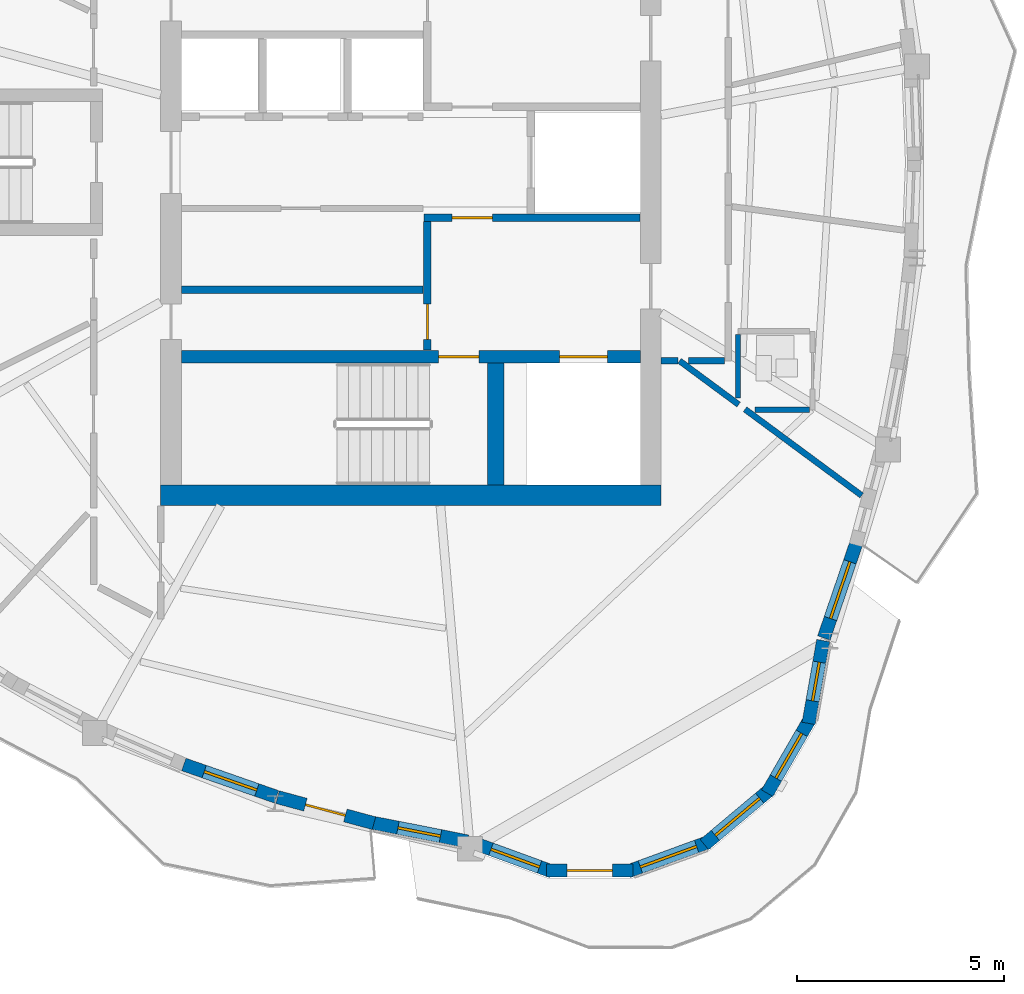
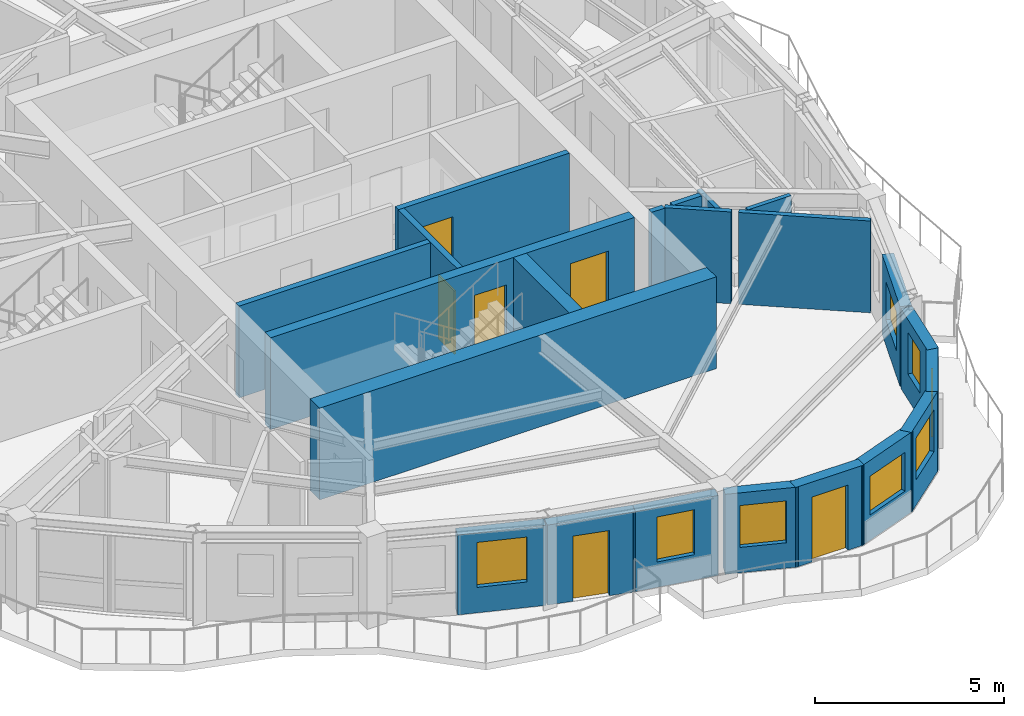
# One storey, part 5 of 13: 22 walls, 8 windows, 6 doors, 14 openings.
"""IFC4 building model written with IfcOpenShell, lengths in metres."""

import ifcopenshell
import ifcopenshell.guid

model = None  # the IFC model being written
_history = None  # IfcOwnerHistory: only IFC2X3 demands one
_inside = {}  # id of a spatial element -> (the spatial element, [elements in it])
_under = {}  # id of a project, library or spatial element -> (it, [spatial elements below it])
_declared = {}  # id of a project -> (the project, [libraries it declares])
_typed = {}  # id of a type object -> (the type object, [elements of that type])
_made_of = {}  # id of a material, layer set ... -> (it, [elements and type objects made of it])


def new_model(schema):
    """Start an empty IFC model of exactly this schema.

    Asked for "IFC4X3", IfcOpenShell would pick the latest addendum, in which some entities
    have other attributes; the version numbers below select the first issue.
    IFC2X3 requires an IfcOwnerHistory on every rooted entity: one is made here for all.
    """
    global model, _history
    if schema == "IFC4X3":
        model = ifcopenshell.file(schema_version=(4, 3, 0, 0))
    else:
        model = ifcopenshell.file(schema=schema)
    _inside.clear()
    _under.clear()
    _declared.clear()
    _typed.clear()
    _made_of.clear()
    _history = None
    if model.schema == "IFC2X3":
        org = make("IfcOrganization", Name="unknown")
        user = make(
            "IfcPersonAndOrganization",
            ThePerson=make("IfcPerson", FamilyName="unknown"),
            TheOrganization=org,
        )
        app = make(
            "IfcApplication",
            ApplicationDeveloper=org,
            Version="unknown",
            ApplicationFullName="unknown",
            ApplicationIdentifier="unknown",
        )
        _history = make(
            "IfcOwnerHistory",
            OwningUser=user,
            OwningApplication=app,
            ChangeAction="ADDED",
            CreationDate=0,
        )
    return model


def make(cls, **values):
    """One entity of the class cls with the attributes given. An attribute that is None is left unset."""
    return model.create_entity(
        cls, **{name: value for name, value in values.items() if value is not None}
    )


def rooted(cls, **values):
    """An entity with a GlobalId (a new one), such as an element, a storey or a relation."""
    return make(cls, GlobalId=ifcopenshell.guid.new(), OwnerHistory=_history, **values)


def si_unit(unit_type, name, prefix=None):
    """IfcSIUnit, for example si_unit("LENGTHUNIT", "METRE", prefix="MILLI")."""
    return make("IfcSIUnit", UnitType=unit_type, Prefix=prefix, Name=name)


def assignment(units):
    """IfcUnitAssignment: the units of a project."""
    return None if units is None else make("IfcUnitAssignment", Units=units)


def point(xyz):
    """IfcCartesianPoint."""
    return None if xyz is None else make("IfcCartesianPoint", Coordinates=xyz)


def direction(xyz):
    """IfcDirection."""
    return None if xyz is None else make("IfcDirection", DirectionRatios=xyz)


def frame(location, z_axis=None, x_axis=None):
    """IfcAxis2Placement3D, a coordinate frame: its origin and axes. An axis left out is left unset."""
    return make(
        "IfcAxis2Placement3D",
        Location=point(location),
        Axis=direction(z_axis),
        RefDirection=direction(x_axis),
    )


def frame_2d(location, x_axis=None):
    """IfcAxis2Placement2D, a coordinate frame in the plane: its origin and x axis."""
    return make(
        "IfcAxis2Placement2D", Location=point(location), RefDirection=direction(x_axis)
    )


def origin():
    """The frame at (0, 0, 0) with its axes left unset."""
    return frame((0.0, 0.0, 0.0))


def place(relative_to, where):
    """IfcLocalPlacement: puts the frame where relative to a parent placement (None: the world)."""
    return make(
        "IfcLocalPlacement", PlacementRelTo=relative_to, RelativePlacement=where
    )


def context(
    kind, dimensions, precision=None, world=None, true_north=None, identifier=None
):
    """IfcGeometricRepresentationContext, for example the 3D "Model" context."""
    return make(
        "IfcGeometricRepresentationContext",
        ContextIdentifier=identifier,
        ContextType=kind,
        CoordinateSpaceDimension=dimensions,
        Precision=precision,
        WorldCoordinateSystem=world,
        TrueNorth=true_north,
    )


def subcontext(parent, identifier, kind, view, scale=None):
    """IfcGeometricRepresentationSubContext, for example "Body" below "Model"."""
    return make(
        "IfcGeometricRepresentationSubContext",
        ContextIdentifier=identifier,
        ContextType=kind,
        ParentContext=parent,
        TargetScale=scale,
        TargetView=view,
    )


def project(units=None, contexts=None):
    """IfcProject with its units and contexts."""
    return rooted(
        "IfcProject",
        Name="project",
        RepresentationContexts=contexts,
        UnitsInContext=assignment(units),
    )


def spatial(cls, under=None, at=None, **own):
    """A site, building, storey or space (cls), placed at a placement, below another one or the project."""
    s = rooted(cls, ObjectPlacement=at, **own)
    if under is not None:
        _under.setdefault(under.id(), (under, []))[1].append(s)
    return s


def profile(cls, at=None, kind="AREA", **sizes):
    """A parametric profile (cls). Its sizes go by their IFC names, for example OverallWidth=200.0."""
    return make(cls, ProfileType=kind, Position=at, **sizes)


def rectangle(**sizes):
    """IfcRectangleProfileDef."""
    return profile("IfcRectangleProfileDef", **sizes)


def extrude(swept, where, along, depth):
    """IfcExtrudedAreaSolid: the profile swept, set in the frame where, extruded along a direction by depth."""
    return make(
        "IfcExtrudedAreaSolid",
        SweptArea=swept,
        Position=where,
        ExtrudedDirection=direction(along),
        Depth=depth,
    )


def shape(context_of_items, identifier, shape_type, items):
    """IfcShapeRepresentation: the items that make up one representation, for example the "Body"."""
    return make(
        "IfcShapeRepresentation",
        ContextOfItems=context_of_items,
        RepresentationIdentifier=identifier,
        RepresentationType=shape_type,
        Items=items,
    )


def source(mapping_origin, context_of_items, identifier, shape_type, items):
    """IfcRepresentationMap: a shape defined once, which mapped items show again and again."""
    return make(
        "IfcRepresentationMap",
        MappingOrigin=mapping_origin,
        MappedRepresentation=shape(context_of_items, identifier, shape_type, items),
    )


def transform(
    local_origin,
    x_axis=None,
    y_axis=None,
    z_axis=None,
    scale=None,
    scale2=None,
    scale3=None,
    uniform=True,
):
    """IfcCartesianTransformationOperator3D, or its non-uniform kind. x_axis, y_axis, z_axis: its Axis1, 2, 3."""
    if uniform:
        return make(
            "IfcCartesianTransformationOperator3D",
            Axis1=direction(x_axis),
            Axis2=direction(y_axis),
            LocalOrigin=point(local_origin),
            Scale=scale,
            Axis3=direction(z_axis),
        )
    return make(
        "IfcCartesianTransformationOperator3DnonUniform",
        Axis1=direction(x_axis),
        Axis2=direction(y_axis),
        LocalOrigin=point(local_origin),
        Scale=scale,
        Axis3=direction(z_axis),
        Scale2=scale2,
        Scale3=scale3,
    )


def mapped(mapping_source, mapping_target):
    """IfcMappedItem: shows the shape of a source again, moved by a transform."""
    return make(
        "IfcMappedItem", MappingSource=mapping_source, MappingTarget=mapping_target
    )


def material(Name=None, Category=None):
    """IfcMaterial."""
    return make("IfcMaterial", Name=Name, Category=Category)


def layer(
    of_material, thickness, ventilated=None, Name=None, Category=None, Priority=None
):
    """IfcMaterialLayer: one layer of a wall or slab, of a material (None: an air gap)."""
    return make(
        "IfcMaterialLayer",
        Material=of_material,
        LayerThickness=thickness,
        IsVentilated=ventilated,
        Name=Name,
        Category=Category,
        Priority=Priority,
    )


def layer_set(layers, Name=None):
    """IfcMaterialLayerSet."""
    return make("IfcMaterialLayerSet", MaterialLayers=layers, LayerSetName=Name)


def made_of(thing, what):
    """Note that an element or type object is made of a material, layer set ...; save() writes the relation."""
    if what is not None:
        _made_of.setdefault(what.id(), (what, []))[1].append(thing)
    return thing


def type_object(cls, material=None, **own):
    """A type object (cls), such as IfcWallType, which elements share."""
    return made_of(rooted(cls, **own), material)


def element(
    cls,
    number,
    at=None,
    inside=None,
    cuts=None,
    type_object=None,
    material=None,
    context=None,
    identifier="Body",
    shape_type=None,
    held_by="IfcProductDefinitionShape",
    body=None,
    shapes=None,
    **own,
):
    """One element of the class cls, such as IfcWall. Its Tag is "e" and its number.

    at: its placement. inside: the storey or other place that contains it. cuts: it is an
    opening in that element (IfcRelVoidsElement). A single representation is given by context,
    identifier, shape_type and body (its items); several are given by shapes. held_by: the class
    of the entity that holds the representations. save() writes the other relations.
    """
    e = rooted(cls, Tag="e%d" % number, ObjectPlacement=at, **own)
    if body is not None:
        shapes = [shape(context, identifier, shape_type, body)]
    if shapes is not None:
        e.Representation = make(held_by, Representations=shapes)
    if inside is not None:
        _inside.setdefault(inside.id(), (inside, []))[1].append(e)
    if cuts is not None:
        rooted(
            "IfcRelVoidsElement", RelatingBuildingElement=cuts, RelatedOpeningElement=e
        )
    if type_object is not None:
        _typed.setdefault(type_object.id(), (type_object, []))[1].append(e)
    return made_of(e, material)


def fill(opening, filler):
    """IfcRelFillsElement: the door or window that sits in an opening."""
    return rooted(
        "IfcRelFillsElement",
        RelatingOpeningElement=opening,
        RelatedBuildingElement=filler,
    )


def aggregate(whole, parts):
    """IfcRelAggregates: a whole, such as a stair, and the parts it consists of."""
    return rooted("IfcRelAggregates", RelatingObject=whole, RelatedObjects=parts)


def save(model, path):
    """Write the relations noted so far, then the file.

    IfcRelAggregates (storeys below a building ...), IfcRelContainedInSpatialStructure (elements
    in a storey), IfcRelDefinesByType, IfcRelAssociatesMaterial and IfcRelDeclares: one each for
    every whole, place, type object, material and project.
    """
    for whole, parts in _under.values():
        aggregate(whole, parts)
    for where, things in _inside.values():
        rooted(
            "IfcRelContainedInSpatialStructure",
            RelatedElements=things,
            RelatingStructure=where,
        )
    for kind, things in _typed.values():
        rooted("IfcRelDefinesByType", RelatedObjects=things, RelatingType=kind)
    for what, things in _made_of.values():
        rooted("IfcRelAssociatesMaterial", RelatedObjects=things, RelatingMaterial=what)
    for by, libraries in _declared.values():
        rooted("IfcRelDeclares", RelatingContext=by, RelatedDefinitions=libraries)
    model.write(path)


model = new_model("IFC4")

# Units and contexts
model_context = context("Model", 3, precision=1e-05, world=origin(), true_north=direction((0.0, 1.0)))
body_context = subcontext(model_context, "Body", "Model", "MODEL_VIEW")
ifc_project = project(units=[si_unit("LENGTHUNIT", "METRE"), si_unit("AREAUNIT", "SQUARE_METRE"), si_unit("VOLUMEUNIT", "CUBIC_METRE"), si_unit("PLANEANGLEUNIT", "RADIAN"), si_unit("MASSUNIT", "GRAM", prefix="KILO")], contexts=[model_context])

# Site, building, storey
site_placement = place(None, origin())
site = spatial("IfcSite", under=ifc_project, at=site_placement, CompositionType="ELEMENT")
building_placement = place(site_placement, origin())
building = spatial("IfcBuilding", under=site, at=building_placement, Name="Qafzar Sky-Pleat Residences", CompositionType="ELEMENT")
storey_placement = place(building_placement, frame((0.0, 0.0, 195.60009765625)))
storey = spatial("IfcBuildingStorey", under=building, at=storey_placement, Name="L58", CompositionType="ELEMENT", Elevation=195.60009765625)

# Walls
ifc_material_1 = material(Name="Acoustic gypsum plasterboard partition", Category="gypsum")
ifc_layer_1 = layer(ifc_material_1, 0.159912109375)
ifc_layer_set_1 = layer_set([ifc_layer_1], Name="Acoustic gypsum plasterboard partition")
wall_type_1 = type_object("IfcWallType", Name="PART-COR-160", PredefinedType="PARTITIONING", material=ifc_layer_set_1)
wall_1_placement = place(storey_placement, frame((37.05908203125, 21.199951171875, 0.0), z_axis=(0.0, 0.0, 1.0), x_axis=(1.0, 0.0, 0.0)))
element("IfcWall", 1, at=wall_1_placement, inside=storey, type_object=wall_type_1, Name="L58 Partition Wall PART-L58-PW-046", PredefinedType="PARTITIONING", context=body_context, shape_type="SweptSolid", body=[
    extrude(rectangle(XDim=0.872802734375, YDim=0.159912109375, at=frame_2d((0.4365234375, 0.0))), origin(), (0.0, 0.0, 1.0), 2.9599609375),
])
wall_2_placement = place(storey_placement, frame((36.39990234375, 21.199951171875, 0.0), z_axis=(0.0, 0.0, 1.0), x_axis=(1.0, 0.0, 0.0)))
element("IfcWall", 2, at=wall_2_placement, inside=storey, type_object=wall_type_1, Name="L58 Partition Wall PART-L58-PW-051", PredefinedType="PARTITIONING", context=body_context, shape_type="SweptSolid", body=[
    extrude(rectangle(XDim=0.406005859375, YDim=0.159912109375, at=frame_2d((0.203125, 0.0))), origin(), (0.0, 0.0, 1.0), 2.9599609375),
])

# Wall, opening, door
ifc_material_2 = material(Name="Concrete blockwork partition", Category="masonry")
ifc_layer_2 = layer(ifc_material_2, 0.179931640625)
ifc_layer_set_2 = layer_set([ifc_layer_2], Name="Concrete blockwork partition")
wall_type_2 = type_object("IfcWallType", Name="PART-SHAFT-180", PredefinedType="PARTITIONING", material=ifc_layer_set_2)
wall_3_placement = place(storey_placement, frame((30.75, 21.4599609375, 0.0), z_axis=(0.0, 0.0, 1.0), x_axis=(0.0, 1.0, 0.0)))
wall_3 = element("IfcWall", 3, at=wall_3_placement, inside=storey, type_object=wall_type_2, Name="L58 Partition Wall PART-L58-FFL1-W", PredefinedType="PARTITIONING", context=body_context, shape_type="SweptSolid", body=[
    extrude(rectangle(XDim=3.110107421875, YDim=0.179931640625, at=frame_2d((1.55517578125, 0.0))), origin(), (0.0, 0.0, 1.0), 2.9599609375),
])
opening_1_placement = place(wall_3_placement, frame((0.260009765625, 0.0, 0.0)))
opening_1 = element("IfcOpeningElement", 4, at=opening_1_placement, cuts=wall_3, Name="Opening ID-09", PredefinedType="OPENING", context=body_context, shape_type="SweptSolid", body=[
    extrude(rectangle(XDim=0.860107421875, YDim=2.050048828125, at=frame_2d((0.43017578125, 1.02490234375))), frame((0.0, 0.10009765625, 0.0), z_axis=(0.0, -1.0, 0.0), x_axis=(1.0, 0.0, 0.0)), (0.0, 0.0, 1.0), 0.199951171875),
])
ifc_material_3 = material(Name="Timber-faced fire door", Category="wood")
door_type_1 = type_object("IfcDoorType", Name="DR-SVC-860", OperationType="NOTDEFINED", PredefinedType="DOOR", material=ifc_material_3)
shared_shape_1 = source(origin(), body_context, "Body", "SweptSolid", [
    extrude(rectangle(XDim=0.860107421875, YDim=2.050048828125, at=frame_2d((0.43017578125, 1.02490234375))), frame((0.0, 0.02490234375, 0.0), z_axis=(0.0, -1.0, 0.0), x_axis=(1.0, 0.0, 0.0)), (0.0, 0.0, 1.0), 0.050048828125),
])
door_1_placement = place(opening_1_placement, origin())
door_1 = element("IfcDoor", 5, at=door_1_placement, inside=storey, type_object=door_type_1, Name="L58 South Core Cupboard Door", OperationType="SINGLE_SWING_LEFT", OverallHeight=2.050048828125, OverallWidth=0.860107421875, PredefinedType="DOOR", context=body_context, shape_type="MappedRepresentation", body=[
    mapped(shared_shape_1, transform((0.0, 0.0, 0.0), x_axis=(1.0, 0.0, 0.0), y_axis=(0.0, 1.0, 0.0), z_axis=(0.0, 0.0, 1.0), scale=1.0)),
])
fill(opening_1, door_1)

wall_4_placement = place(storey_placement, frame((30.669921875, 24.659912109375, 0.0), z_axis=(0.0, 0.0, 1.0), x_axis=(1.0, 0.0, 0.0)))
wall_4 = element("IfcWall", 6, at=wall_4_placement, inside=storey, type_object=wall_type_2, Name="L58 Partition Wall PART-L58-FFL1-N", PredefinedType="PARTITIONING", context=body_context, shape_type="SweptSolid", body=[
    extrude(rectangle(XDim=5.219970703125, YDim=0.179931640625, at=frame_2d((2.60986328125, 0.0))), origin(), (0.0, 0.0, 1.0), 2.9599609375),
])
opening_2_placement = place(wall_4_placement, frame((0.679931640625, 0.0, 0.0)))
opening_2 = element("IfcOpeningElement", 7, at=opening_2_placement, cuts=wall_4, Name="Opening ID-01", PredefinedType="OPENING", context=body_context, shape_type="SweptSolid", body=[
    extrude(rectangle(XDim=0.97998046875, YDim=2.14990234375, at=frame_2d((0.489990234375, 1.074951171875))), frame((0.0, 0.10009765625, 0.0), z_axis=(0.0, -1.0, 0.0), x_axis=(1.0, 0.0, 0.0)), (0.0, 0.0, 1.0), 0.199951171875),
])
door_type_2 = type_object("IfcDoorType", Name="DR-STAIR-980", OperationType="NOTDEFINED", PredefinedType="DOOR", material=ifc_material_3)
shared_shape_2 = source(origin(), body_context, "Body", "SweptSolid", [
    extrude(rectangle(XDim=0.97998046875, YDim=2.14990234375, at=frame_2d((0.489990234375, 1.074951171875))), frame((0.0, 0.02490234375, 0.0), z_axis=(0.0, -1.0, 0.0), x_axis=(1.0, 0.0, 0.0)), (0.0, 0.0, 1.0), 0.050048828125),
])
door_2_placement = place(opening_2_placement, origin())
door_2 = element("IfcDoor", 8, at=door_2_placement, inside=storey, type_object=door_type_2, Name="L58 Lift Lobby to South Firefighting Lobby Door", OperationType="SINGLE_SWING_RIGHT", OverallHeight=2.14990234375, OverallWidth=0.97998046875, PredefinedType="DOOR", context=body_context, shape_type="MappedRepresentation", body=[
    mapped(shared_shape_2, transform((0.0, 0.0, 0.0), x_axis=(1.0, 0.0, 0.0), y_axis=(0.0, 1.0, 0.0), z_axis=(0.0, 0.0, 1.0), scale=1.0)),
])
fill(opening_2, door_2)

# Walls
wall_5_placement = place(storey_placement, frame((24.81005859375, 22.919921875, 0.0), z_axis=(0.0, 0.0, 1.0), x_axis=(1.0, 0.0, 0.0)))
element("IfcWall", 9, at=wall_5_placement, inside=storey, type_object=wall_type_2, Name="L58 Partition Wall PART-L58-P13-S", PredefinedType="PARTITIONING", context=body_context, shape_type="SweptSolid", body=[
    extrude(rectangle(XDim=5.83984375, YDim=0.179931640625, at=frame_2d((2.919921875, 0.0))), origin(), (0.0, 0.0, 1.0), 2.9599609375),
])
ifc_layer_3 = layer(ifc_material_1, 0.14501953125)
ifc_layer_set_3 = layer_set([ifc_layer_3], Name="Acoustic gypsum plasterboard partition")
wall_type_3 = type_object("IfcWallType", Name="PART-UNIT-145", PredefinedType="PARTITIONING", material=ifc_layer_set_3)
wall_6_placement = place(storey_placement, frame((38.428955078125, 20.030029296875, 0.0), z_axis=(0.0, 0.0, 1.0), x_axis=(0.804249944798, -0.594291196546, 0.0)))
element("IfcWall", 10, at=wall_6_placement, inside=storey, type_object=wall_type_3, Name="L58 Partition Wall PART-L58-PW-028", PredefinedType="PARTITIONING", context=body_context, shape_type="SweptSolid", body=[
    extrude(rectangle(XDim=3.505859375, YDim=0.14501953125, at=frame_2d((1.7529296875, 0.0))), origin(), (0.0, 0.0, 1.0), 2.9599609375),
])
wall_7_placement = place(storey_placement, frame((36.845947265625, 21.199951171875, 0.0), z_axis=(0.0, 0.0, 1.0), x_axis=(0.804250382672, -0.594290603974, 0.0)))
element("IfcWall", 11, at=wall_7_placement, inside=storey, type_object=wall_type_3, Name="L58 Partition Wall PART-L58-PW-035", PredefinedType="PARTITIONING", context=body_context, shape_type="SweptSolid", body=[
    extrude(rectangle(XDim=1.77685546875, YDim=0.14501953125, at=frame_2d((0.888427734375, 0.0))), origin(), (0.0, 0.0, 1.0), 2.9599609375),
])
ifc_material_4 = material(Name="Moisture-resistant gypsum partition", Category="gypsum")
ifc_layer_4 = layer(ifc_material_4, 0.1298828125)
ifc_layer_set_4 = layer_set([ifc_layer_4], Name="Moisture-resistant gypsum partition")
wall_type_4 = type_object("IfcWallType", Name="PART-WET-130", PredefinedType="PARTITIONING", material=ifc_layer_set_4)
wall_8_placement = place(storey_placement, frame((38.260009765625, 20.30126953125, 0.0), z_axis=(0.0, 0.0, 1.0), x_axis=(0.0, 1.0, 0.0)))
element("IfcWall", 12, at=wall_8_placement, inside=storey, type_object=wall_type_4, Name="L58 Partition Wall PART-L58-PW-036", PredefinedType="PARTITIONING", context=body_context, shape_type="SweptSolid", body=[
    extrude(rectangle(XDim=1.540771484375, YDim=0.1298828125, at=frame_2d((0.7705078125, 0.0))), origin(), (0.0, 0.0, 1.0), 2.6279296875),
])
wall_9_placement = place(storey_placement, frame((38.66796875, 20.014892578125, 0.0), z_axis=(0.0, 0.0, 1.0), x_axis=(1.0, 0.0, 0.0)))
element("IfcWall", 13, at=wall_9_placement, inside=storey, type_object=wall_type_4, Name="L58 Partition Wall PART-L58-PW-037", PredefinedType="PARTITIONING", context=body_context, shape_type="SweptSolid", body=[
    extrude(rectangle(XDim=1.319091796875, YDim=0.1298828125, at=frame_2d((0.65966796875, 0.0))), origin(), (0.0, 0.0, 1.0), 2.9599609375),
])

# Wall, opening, window
ifc_material_5 = material(Name="Precast concrete C40/50 with honed Riyadh limestone", Category="concrete")
ifc_layer_5 = layer(ifc_material_5, 0.320068359375)
ifc_layer_set_5 = layer_set([ifc_layer_5], Name="Precast concrete C40/50 with honed Riyadh limestone")
wall_type_5 = type_object("IfcWallType", Name="WALL-EXT-320", PredefinedType="SOLIDWALL", material=ifc_layer_set_5)
wall_10_placement = place(storey_placement, frame((24.861572265625, 11.4423828125, 0.0), z_axis=(0.0, 0.0, 1.0), x_axis=(0.944124270014, -0.329589688508, 0.0)))
wall_10 = element("IfcWall", 14, at=wall_10_placement, inside=storey, type_object=wall_type_5, Name="L58 Limestone Facade Wall 14", PredefinedType="SOLIDWALL", context=body_context, shape_type="SweptSolid", body=[
    extrude(rectangle(XDim=2.373291015625, YDim=0.320068359375, at=frame_2d((1.1865234375, 0.0))), origin(), (0.0, 0.0, 1.0), 2.579833984375),
])
opening_3_placement = place(wall_10_placement, frame((0.521728515625, 0.0, 0.820068359375)))
opening_3 = element("IfcOpeningElement", 15, at=opening_3_placement, cuts=wall_10, Name="Opening WN-04", PredefinedType="OPENING", context=body_context, shape_type="SweptSolid", body=[
    extrude(rectangle(XDim=1.35009765625, YDim=1.449951171875, at=frame_2d((0.675048828125, 0.72509765625))), frame((0.0, 0.169921875, 0.0), z_axis=(0.0, -1.0, 0.0), x_axis=(1.0, 0.0, 0.0)), (0.0, 0.0, 1.0), 0.340087890625),
])
ifc_material_6 = material(Name="Solar-control low-E glass in bronze aluminium frame", Category="glass")
window_type_1 = type_object("IfcWindowType", Name="WIN-04", PartitioningType="SINGLE_PANEL", PredefinedType="WINDOW", material=ifc_material_6)
shared_shape_3 = source(origin(), body_context, "Body", "SweptSolid", [
    extrude(rectangle(XDim=1.35009765625, YDim=1.449951171875, at=frame_2d((0.675048828125, 0.72509765625))), frame((0.0, 0.030029296875, 0.0), z_axis=(0.0, -1.0, 0.0), x_axis=(1.0, 0.0, 0.0)), (0.0, 0.0, 1.0), 0.06005859375),
])
window_1_placement = place(opening_3_placement, origin())
window_1 = element("IfcWindow", 16, at=window_1_placement, inside=storey, type_object=window_type_1, Name="L58 Punched Facade Window 14", OverallHeight=1.449951171875, OverallWidth=1.35009765625, PartitioningType="SINGLE_PANEL", PredefinedType="WINDOW", context=body_context, shape_type="MappedRepresentation", body=[
    mapped(shared_shape_3, transform((0.0, 0.0, 0.0), x_axis=(1.0, 0.0, 0.0), y_axis=(0.0, 1.0, 0.0), z_axis=(0.0, 0.0, 1.0), scale=1.0)),
])
fill(opening_3, window_1)

# Wall, opening, door
wall_11_placement = place(storey_placement, frame((27.12939453125, 10.65185546875, 0.0), z_axis=(0.0, 0.0, 1.0), x_axis=(0.965456324807, -0.260564934114, 0.0)))
wall_11 = element("IfcWall", 17, at=wall_11_placement, inside=storey, type_object=wall_type_5, Name="L58 Limestone Facade Wall 15", PredefinedType="SOLIDWALL", context=body_context, shape_type="SweptSolid", body=[
    extrude(rectangle(XDim=2.41259765625, YDim=0.320068359375, at=frame_2d((1.206298828125, 0.0))), origin(), (0.0, 0.0, 1.0), 2.579833984375),
])
opening_4_placement = place(wall_11_placement, frame((0.6962890625, 0.0, 0.0)))
opening_4 = element("IfcOpeningElement", 18, at=opening_4_placement, cuts=wall_11, Name="Opening ED-05", PredefinedType="OPENING", context=body_context, shape_type="SweptSolid", body=[
    extrude(rectangle(XDim=1.0, YDim=2.10009765625, at=frame_2d((0.5, 1.050048828125))), frame((0.0, 0.169921875, 0.0), z_axis=(0.0, -1.0, 0.0), x_axis=(1.0, 0.0, 0.0)), (0.0, 0.0, 1.0), 0.340087890625),
])
ifc_material_7 = material(Name="Glazed bronze aluminium door", Category="aluminium")
door_type_3 = type_object("IfcDoorType", Name="DR-BAL-1000", OperationType="NOTDEFINED", PredefinedType="DOOR", material=ifc_material_7)
shared_shape_4 = source(origin(), body_context, "Body", "SweptSolid", [
    extrude(rectangle(XDim=1.0, YDim=2.10009765625, at=frame_2d((0.5, 1.050048828125))), frame((0.0, 0.02490234375, 0.0), z_axis=(0.0, -1.0, 0.0), x_axis=(1.0, 0.0, 0.0)), (0.0, 0.0, 1.0), 0.050048828125),
])
door_3_placement = place(opening_4_placement, origin())
door_3 = element("IfcDoor", 19, at=door_3_placement, inside=storey, type_object=door_type_3, Name="L58 Glazed Balcony Door 3", OperationType="SINGLE_SWING_LEFT", OverallHeight=2.10009765625, OverallWidth=1.0, PredefinedType="DOOR", context=body_context, shape_type="MappedRepresentation", body=[
    mapped(shared_shape_4, transform((0.0, 0.0, 0.0), x_axis=(1.0, 0.0, 0.0), y_axis=(0.0, 1.0, 0.0), z_axis=(0.0, 0.0, 1.0), scale=1.0)),
])
fill(opening_4, door_3)

# Wall, opening, window
wall_12_placement = place(storey_placement, frame((29.373779296875, 10.04296875, 0.0), z_axis=(0.0, 0.0, 1.0), x_axis=(0.981222630784, -0.192878585739, 0.0)))
wall_12 = element("IfcWall", 20, at=wall_12_placement, inside=storey, type_object=wall_type_5, Name="L58 Limestone Facade Wall 16", PredefinedType="SOLIDWALL", context=body_context, shape_type="SweptSolid", body=[
    extrude(rectangle(XDim=2.3935546875, YDim=0.320068359375, at=frame_2d((1.19677734375, 0.0))), origin(), (0.0, 0.0, 1.0), 2.579833984375),
])
opening_5_placement = place(wall_12_placement, frame((0.6767578125, 0.0, 0.820068359375)))
opening_5 = element("IfcOpeningElement", 21, at=opening_5_placement, cuts=wall_12, Name="Opening WN-06", PredefinedType="OPENING", context=body_context, shape_type="SweptSolid", body=[
    extrude(rectangle(XDim=1.050048828125, YDim=1.449951171875, at=frame_2d((0.52490234375, 0.72509765625))), frame((0.0, 0.169921875, 0.0), z_axis=(0.0, -1.0, 0.0), x_axis=(1.0, 0.0, 0.0)), (0.0, 0.0, 1.0), 0.340087890625),
])
window_type_2 = type_object("IfcWindowType", Name="WIN-06", PartitioningType="SINGLE_PANEL", PredefinedType="WINDOW", material=ifc_material_6)
shared_shape_5 = source(origin(), body_context, "Body", "SweptSolid", [
    extrude(rectangle(XDim=1.050048828125, YDim=1.449951171875, at=frame_2d((0.52490234375, 0.72509765625))), frame((0.0, 0.030029296875, 0.0), z_axis=(0.0, -1.0, 0.0), x_axis=(1.0, 0.0, 0.0)), (0.0, 0.0, 1.0), 0.06005859375),
])
window_2_placement = place(opening_5_placement, origin())
window_2 = element("IfcWindow", 22, at=window_2_placement, inside=storey, type_object=window_type_2, Name="L58 Punched Facade Window 16", OverallHeight=1.449951171875, OverallWidth=1.050048828125, PartitioningType="SINGLE_PANEL", PredefinedType="WINDOW", context=body_context, shape_type="MappedRepresentation", body=[
    mapped(shared_shape_5, transform((0.0, 0.0, 0.0), x_axis=(1.0, 0.0, 0.0), y_axis=(0.0, 1.0, 0.0), z_axis=(0.0, 0.0, 1.0), scale=1.0)),
])
fill(opening_5, window_2)

wall_13_placement = place(storey_placement, frame((31.919189453125, 9.526611328125, 0.0), z_axis=(0.0, 0.0, 1.0), x_axis=(0.939695306975, -0.342012762991, 0.0)))
wall_13 = element("IfcWall", 23, at=wall_13_placement, inside=storey, type_object=wall_type_5, Name="L58 Limestone Facade Wall 17", PredefinedType="SOLIDWALL", context=body_context, shape_type="SweptSolid", body=[
    extrude(rectangle(XDim=1.96240234375, YDim=0.320068359375, at=frame_2d((0.981201171875, 0.0))), origin(), (0.0, 0.0, 1.0), 2.579833984375),
])
opening_6_placement = place(wall_13_placement, frame((0.39111328125, 0.0, 0.820068359375)))
opening_6 = element("IfcOpeningElement", 24, at=opening_6_placement, cuts=wall_13, Name="Opening WN-11", PredefinedType="OPENING", context=body_context, shape_type="SweptSolid", body=[
    extrude(rectangle(XDim=1.25, YDim=1.35009765625, at=frame_2d((0.625, 0.675048828125))), frame((0.0, 0.169921875, 0.0), z_axis=(0.0, -1.0, 0.0), x_axis=(1.0, 0.0, 0.0)), (0.0, 0.0, 1.0), 0.340087890625),
])
window_type_3 = type_object("IfcWindowType", Name="WIN-11", PartitioningType="SINGLE_PANEL", PredefinedType="WINDOW", material=ifc_material_6)
shared_shape_6 = source(origin(), body_context, "Body", "SweptSolid", [
    extrude(rectangle(XDim=1.25, YDim=1.35009765625, at=frame_2d((0.625, 0.675048828125))), frame((0.0, 0.030029296875, 0.0), z_axis=(0.0, -1.0, 0.0), x_axis=(1.0, 0.0, 0.0)), (0.0, 0.0, 1.0), 0.06005859375),
])
window_3_placement = place(opening_6_placement, origin())
window_3 = element("IfcWindow", 25, at=window_3_placement, inside=storey, type_object=window_type_3, Name="L58 Punched Facade Window 17", OverallHeight=1.35009765625, OverallWidth=1.25, PartitioningType="SINGLE_PANEL", PredefinedType="WINDOW", context=body_context, shape_type="MappedRepresentation", body=[
    mapped(shared_shape_6, transform((0.0, 0.0, 0.0), x_axis=(1.0, 0.0, 0.0), y_axis=(0.0, 1.0, 0.0), z_axis=(0.0, 0.0, 1.0), scale=1.0)),
])
fill(opening_6, window_3)

# Wall, opening, door
wall_14_placement = place(storey_placement, frame((33.634765625, 8.8779296875, 0.0), z_axis=(0.0, 0.0, 1.0), x_axis=(1.0, 0.0, 0.0)))
wall_14 = element("IfcWall", 26, at=wall_14_placement, inside=storey, type_object=wall_type_5, Name="L58 Limestone Facade Wall 18", PredefinedType="SOLIDWALL", context=body_context, shape_type="SweptSolid", body=[
    extrude(rectangle(XDim=2.09033203125, YDim=0.320068359375, at=frame_2d((1.045166015625, 0.0))), origin(), (0.0, 0.0, 1.0), 2.579833984375),
])
opening_7_placement = place(wall_14_placement, frame((0.4951171875, 0.0, 0.0)))
opening_7 = element("IfcOpeningElement", 27, at=opening_7_placement, cuts=wall_14, Name="Opening ED-06", PredefinedType="OPENING", context=body_context, shape_type="SweptSolid", body=[
    extrude(rectangle(XDim=1.10009765625, YDim=2.10009765625, at=frame_2d((0.550048828125, 1.050048828125))), frame((0.0, 0.169921875, 0.0), z_axis=(0.0, -1.0, 0.0), x_axis=(1.0, 0.0, 0.0)), (0.0, 0.0, 1.0), 0.340087890625),
])
door_type_4 = type_object("IfcDoorType", Name="DR-BAL-1100", OperationType="NOTDEFINED", PredefinedType="DOOR", material=ifc_material_7)
shared_shape_7 = source(origin(), body_context, "Body", "SweptSolid", [
    extrude(rectangle(XDim=1.10009765625, YDim=2.10009765625, at=frame_2d((0.550048828125, 1.050048828125))), frame((0.0, 0.02490234375, 0.0), z_axis=(0.0, -1.0, 0.0), x_axis=(1.0, 0.0, 0.0)), (0.0, 0.0, 1.0), 0.050048828125),
])
door_4_placement = place(opening_7_placement, origin())
door_4 = element("IfcDoor", 28, at=door_4_placement, inside=storey, type_object=door_type_4, Name="L58 Terrace Glazed Door 3", OperationType="SINGLE_SWING_RIGHT", OverallHeight=2.10009765625, OverallWidth=1.10009765625, PredefinedType="DOOR", context=body_context, shape_type="MappedRepresentation", body=[
    mapped(shared_shape_7, transform((0.0, 0.0, 0.0), x_axis=(1.0, 0.0, 0.0), y_axis=(0.0, 1.0, 0.0), z_axis=(0.0, 0.0, 1.0), scale=1.0)),
])
fill(opening_7, door_4)

# Wall, opening, window
wall_15_placement = place(storey_placement, frame((35.5966796875, 8.85546875, 0.0), z_axis=(0.0, 0.0, 1.0), x_axis=(0.939711556618, 0.341968113072, 0.0)))
wall_15 = element("IfcWall", 29, at=wall_15_placement, inside=storey, type_object=wall_type_5, Name="L58 Limestone Facade Wall 19", PredefinedType="SOLIDWALL", context=body_context, shape_type="SweptSolid", body=[
    extrude(rectangle(XDim=2.09033203125, YDim=0.320068359375, at=frame_2d((1.045166015625, 0.0))), origin(), (0.0, 0.0, 1.0), 2.579833984375),
])
opening_8_placement = place(wall_15_placement, frame((0.3203125, 0.0, 0.820068359375)))
opening_8 = element("IfcOpeningElement", 30, at=opening_8_placement, cuts=wall_15, Name="Opening WN-15", PredefinedType="OPENING", context=body_context, shape_type="SweptSolid", body=[
    extrude(rectangle(XDim=1.449951171875, YDim=1.25, at=frame_2d((0.72509765625, 0.625))), frame((0.0, 0.169921875, 0.0), z_axis=(0.0, -1.0, 0.0), x_axis=(1.0, 0.0, 0.0)), (0.0, 0.0, 1.0), 0.340087890625),
])
window_type_4 = type_object("IfcWindowType", Name="WIN-15", PartitioningType="SINGLE_PANEL", PredefinedType="WINDOW", material=ifc_material_6)
shared_shape_8 = source(origin(), body_context, "Body", "SweptSolid", [
    extrude(rectangle(XDim=1.449951171875, YDim=1.25, at=frame_2d((0.72509765625, 0.625))), frame((0.0, 0.030029296875, 0.0), z_axis=(0.0, -1.0, 0.0), x_axis=(1.0, 0.0, 0.0)), (0.0, 0.0, 1.0), 0.06005859375),
])
window_4_placement = place(opening_8_placement, origin())
window_4 = element("IfcWindow", 31, at=window_4_placement, inside=storey, type_object=window_type_4, Name="L58 Punched Facade Window 19", OverallHeight=1.25, OverallWidth=1.449951171875, PartitioningType="SINGLE_PANEL", PredefinedType="WINDOW", context=body_context, shape_type="MappedRepresentation", body=[
    mapped(shared_shape_8, transform((0.0, 0.0, 0.0), x_axis=(1.0, 0.0, 0.0), y_axis=(0.0, 1.0, 0.0), z_axis=(0.0, 0.0, 1.0), scale=1.0)),
])
fill(opening_8, window_4)

wall_16_placement = place(storey_placement, frame((37.447998046875, 9.505126953125, 0.0), z_axis=(0.0, 0.0, 1.0), x_axis=(0.766082082368, 0.642742750308, 0.0)))
wall_16 = element("IfcWall", 32, at=wall_16_placement, inside=storey, type_object=wall_type_5, Name="L58 Limestone Facade Wall 20", PredefinedType="SOLIDWALL", context=body_context, shape_type="SweptSolid", body=[
    extrude(rectangle(XDim=2.09033203125, YDim=0.320068359375, at=frame_2d((1.045166015625, 0.0))), origin(), (0.0, 0.0, 1.0), 2.579833984375),
])
opening_9_placement = place(wall_16_placement, frame((0.34521484375, 0.0, 0.820068359375)))
opening_9 = element("IfcOpeningElement", 33, at=opening_9_placement, cuts=wall_16, Name="Opening WN-10", PredefinedType="OPENING", context=body_context, shape_type="SweptSolid", body=[
    extrude(rectangle(XDim=1.39990234375, YDim=1.35009765625, at=frame_2d((0.699951171875, 0.675048828125))), frame((0.0, 0.169921875, 0.0), z_axis=(0.0, -1.0, 0.0), x_axis=(1.0, 0.0, 0.0)), (0.0, 0.0, 1.0), 0.340087890625),
])
window_type_5 = type_object("IfcWindowType", Name="WIN-10", PartitioningType="SINGLE_PANEL", PredefinedType="WINDOW", material=ifc_material_6)
shared_shape_9 = source(origin(), body_context, "Body", "SweptSolid", [
    extrude(rectangle(XDim=1.39990234375, YDim=1.35009765625, at=frame_2d((0.699951171875, 0.675048828125))), frame((0.0, 0.030029296875, 0.0), z_axis=(0.0, -1.0, 0.0), x_axis=(1.0, 0.0, 0.0)), (0.0, 0.0, 1.0), 0.06005859375),
])
window_5_placement = place(opening_9_placement, origin())
window_5 = element("IfcWindow", 34, at=window_5_placement, inside=storey, type_object=window_type_5, Name="L58 Punched Facade Window 20", OverallHeight=1.35009765625, OverallWidth=1.39990234375, PartitioningType="SINGLE_PANEL", PredefinedType="WINDOW", context=body_context, shape_type="MappedRepresentation", body=[
    mapped(shared_shape_9, transform((0.0, 0.0, 0.0), x_axis=(1.0, 0.0, 0.0), y_axis=(0.0, 1.0, 0.0), z_axis=(0.0, 0.0, 1.0), scale=1.0)),
])
fill(opening_9, window_5)

wall_17_placement = place(storey_placement, frame((38.965576171875, 10.748779296875, 0.0), z_axis=(0.0, 0.0, 1.0), x_axis=(0.49990781971, 0.866078617559, 0.0)))
wall_17 = element("IfcWall", 35, at=wall_17_placement, inside=storey, type_object=wall_type_5, Name="L58 Limestone Facade Wall 21", PredefinedType="SOLIDWALL", context=body_context, shape_type="SweptSolid", body=[
    extrude(rectangle(XDim=2.09033203125, YDim=0.320068359375, at=frame_2d((1.045166015625, 0.0))), origin(), (0.0, 0.0, 1.0), 2.579833984375),
])
opening_10_placement = place(wall_17_placement, frame((0.420166015625, 0.0, 0.820068359375)))
opening_10 = element("IfcOpeningElement", 36, at=opening_10_placement, cuts=wall_17, Name="Opening WN-11", PredefinedType="OPENING", context=body_context, shape_type="SweptSolid", body=[
    extrude(rectangle(XDim=1.25, YDim=1.35009765625, at=frame_2d((0.625, 0.675048828125))), frame((0.0, 0.169921875, 0.0), z_axis=(0.0, -1.0, 0.0), x_axis=(1.0, 0.0, 0.0)), (0.0, 0.0, 1.0), 0.340087890625),
])
window_6_placement = place(opening_10_placement, origin())
window_6 = element("IfcWindow", 37, at=window_6_placement, inside=storey, type_object=window_type_3, Name="L58 Punched Facade Window 21", OverallHeight=1.35009765625, OverallWidth=1.25, PartitioningType="SINGLE_PANEL", PredefinedType="WINDOW", context=body_context, shape_type="MappedRepresentation", body=[
    mapped(shared_shape_6, transform((0.0, 0.0, 0.0), x_axis=(1.0, 0.0, 0.0), y_axis=(0.0, 1.0, 0.0), z_axis=(0.0, 0.0, 1.0), scale=1.0)),
])
fill(opening_10, window_6)

wall_18_placement = place(storey_placement, frame((39.966064453125, 12.4365234375, 0.0), z_axis=(0.0, 0.0, 1.0), x_axis=(0.17370309897, 0.984798067326, 0.0)))
wall_18 = element("IfcWall", 38, at=wall_18_placement, inside=storey, type_object=wall_type_5, Name="L58 Limestone Facade Wall 22", PredefinedType="SOLIDWALL", context=body_context, shape_type="SweptSolid", body=[
    extrude(rectangle(XDim=2.032470703125, YDim=0.320068359375, at=frame_2d((1.01611328125, 0.0))), origin(), (0.0, 0.0, 1.0), 2.579833984375),
])
opening_11_placement = place(wall_18_placement, frame((0.55126953125, 0.0, 0.820068359375)))
opening_11 = element("IfcOpeningElement", 39, at=opening_11_placement, cuts=wall_18, Name="Opening WN-12", PredefinedType="OPENING", context=body_context, shape_type="SweptSolid", body=[
    extrude(rectangle(XDim=0.949951171875, YDim=1.35009765625, at=frame_2d((0.47509765625, 0.675048828125))), frame((0.0, 0.169921875, 0.0), z_axis=(0.0, -1.0, 0.0), x_axis=(1.0, 0.0, 0.0)), (0.0, 0.0, 1.0), 0.340087890625),
])
window_type_6 = type_object("IfcWindowType", Name="WIN-12", PartitioningType="SINGLE_PANEL", PredefinedType="WINDOW", material=ifc_material_6)
shared_shape_10 = source(origin(), body_context, "Body", "SweptSolid", [
    extrude(rectangle(XDim=0.949951171875, YDim=1.35009765625, at=frame_2d((0.47509765625, 0.675048828125))), frame((0.0, 0.030029296875, 0.0), z_axis=(0.0, -1.0, 0.0), x_axis=(1.0, 0.0, 0.0)), (0.0, 0.0, 1.0), 0.06005859375),
])
window_7_placement = place(opening_11_placement, origin())
window_7 = element("IfcWindow", 40, at=window_7_placement, inside=storey, type_object=window_type_6, Name="L58 Punched Facade Window 22", OverallHeight=1.35009765625, OverallWidth=0.949951171875, PartitioningType="SINGLE_PANEL", PredefinedType="WINDOW", context=body_context, shape_type="MappedRepresentation", body=[
    mapped(shared_shape_10, transform((0.0, 0.0, 0.0), x_axis=(1.0, 0.0, 0.0), y_axis=(0.0, 1.0, 0.0), z_axis=(0.0, 0.0, 1.0), scale=1.0)),
])
fill(opening_11, window_7)

wall_19_placement = place(storey_placement, frame((40.335205078125, 14.50048828125, 0.0), z_axis=(0.0, 0.0, 1.0), x_axis=(0.323561604729, 0.946207106264, 0.0)))
wall_19 = element("IfcWall", 41, at=wall_19_placement, inside=storey, type_object=wall_type_5, Name="L58 Limestone Facade Wall 23", PredefinedType="SOLIDWALL", context=body_context, shape_type="SweptSolid", body=[
    extrude(rectangle(XDim=2.463623046875, YDim=0.320068359375, at=frame_2d((1.23193359375, 0.0))), origin(), (0.0, 0.0, 1.0), 2.579833984375),
])
opening_12_placement = place(wall_19_placement, frame((0.496826171875, 0.0, 0.820068359375)))
opening_12 = element("IfcOpeningElement", 42, at=opening_12_placement, cuts=wall_19, Name="Opening WN-15", PredefinedType="OPENING", context=body_context, shape_type="SweptSolid", body=[
    extrude(rectangle(XDim=1.449951171875, YDim=1.25, at=frame_2d((0.72509765625, 0.625))), frame((0.0, 0.169921875, 0.0), z_axis=(0.0, -1.0, 0.0), x_axis=(1.0, 0.0, 0.0)), (0.0, 0.0, 1.0), 0.340087890625),
])
window_8_placement = place(opening_12_placement, origin())
window_8 = element("IfcWindow", 43, at=window_8_placement, inside=storey, type_object=window_type_4, Name="L58 Punched Facade Window 23", OverallHeight=1.25, OverallWidth=1.449951171875, PartitioningType="SINGLE_PANEL", PredefinedType="WINDOW", context=body_context, shape_type="MappedRepresentation", body=[
    mapped(shared_shape_8, transform((0.0, 0.0, 0.0), x_axis=(1.0, 0.0, 0.0), y_axis=(0.0, 1.0, 0.0), z_axis=(0.0, 0.0, 1.0), scale=1.0)),
])
fill(opening_12, window_8)

# Wall, openings, doors
ifc_material_8 = material(Name="Concrete C60/75", Category="concrete")
ifc_layer_6 = layer(ifc_material_8, 0.300048828125)
ifc_layer_set_6 = layer_set([ifc_layer_6], Name="Concrete C60/75")
wall_type_6 = type_object("IfcWallType", Name="WALL-SHEAR-300", PredefinedType="SHEAR", material=ifc_layer_set_6)
wall_20_placement = place(storey_placement, frame((24.800048828125, 21.300048828125, 0.0), z_axis=(0.0, 0.0, 1.0), x_axis=(1.0, 0.0, 0.0)))
wall_20 = element("IfcWall", 44, at=wall_20_placement, inside=storey, type_object=wall_type_6, Name="L58 Stair ST1 and FF1 Shaft North Wall", PredefinedType="SHEAR", context=body_context, shape_type="SweptSolid", body=[
    extrude(rectangle(XDim=11.099853515625, YDim=0.300048828125, at=frame_2d((5.5498046875, 0.0))), origin(), (0.0, 0.0, 1.0), 2.9599609375),
])
opening_13_placement = place(wall_20_placement, frame((6.219970703125, 0.0, 0.0)))
opening_13 = element("IfcOpeningElement", 45, at=opening_13_placement, cuts=wall_20, Name="Opening ID-01", PredefinedType="OPENING", context=body_context, shape_type="SweptSolid", body=[
    extrude(rectangle(XDim=0.97998046875, YDim=2.14990234375, at=frame_2d((0.489990234375, 1.074951171875))), frame((0.0, 0.16015625, 0.0), z_axis=(0.0, -1.0, 0.0), x_axis=(1.0, 0.0, 0.0)), (0.0, 0.0, 1.0), 0.320068359375),
])
opening_14_placement = place(wall_20_placement, frame((9.14990234375, 0.0, 0.0)))
opening_14 = element("IfcOpeningElement", 46, at=opening_14_placement, cuts=wall_20, Name="Opening LD-02", PredefinedType="OPENING", context=body_context, shape_type="SweptSolid", body=[
    extrude(rectangle(XDim=1.14990234375, YDim=2.14990234375, at=frame_2d((0.574951171875, 1.074951171875))), frame((0.0, 0.16015625, 0.0), z_axis=(0.0, -1.0, 0.0), x_axis=(1.0, 0.0, 0.0)), (0.0, 0.0, 1.0), 0.320068359375),
])
door_5_placement = place(opening_13_placement, origin())
door_5 = element("IfcDoor", 47, at=door_5_placement, inside=storey, type_object=door_type_2, Name="L58 Stair ST1 Fire Door", OperationType="SINGLE_SWING_RIGHT", OverallHeight=2.14990234375, OverallWidth=0.97998046875, PredefinedType="DOOR", context=body_context, shape_type="MappedRepresentation", body=[
    mapped(shared_shape_2, transform((0.0, 0.0, 0.0), x_axis=(1.0, 0.0, 0.0), y_axis=(0.0, 1.0, 0.0), z_axis=(0.0, 0.0, 1.0), scale=1.0)),
])
fill(opening_13, door_5)
ifc_material_9 = material(Name="Stainless steel sliding landing door", Category="steel")
door_type_5 = type_object("IfcDoorType", Name="DR-LIFT-FF", OperationType="DOUBLE_DOOR_SLIDING", PredefinedType="DOOR", material=ifc_material_9)
shared_shape_11 = source(origin(), body_context, "Body", "SweptSolid", [
    extrude(rectangle(XDim=1.14990234375, YDim=2.14990234375, at=frame_2d((0.574951171875, 1.074951171875))), frame((0.0, 0.02490234375, 0.0), z_axis=(0.0, -1.0, 0.0), x_axis=(1.0, 0.0, 0.0)), (0.0, 0.0, 1.0), 0.050048828125),
])
door_6_placement = place(opening_14_placement, origin())
door_6 = element("IfcDoor", 48, at=door_6_placement, inside=storey, type_object=door_type_5, Name="L58 Firefighting Lift FF1 Landing Door", OperationType="DOUBLE_DOOR_SLIDING", OverallHeight=2.14990234375, OverallWidth=1.14990234375, PredefinedType="DOOR", context=body_context, shape_type="MappedRepresentation", body=[
    mapped(shared_shape_11, transform((0.0, 0.0, 0.0), x_axis=(1.0, 0.0, 0.0), y_axis=(0.0, 1.0, 0.0), z_axis=(0.0, 0.0, 1.0), scale=1.0)),
])
fill(opening_14, door_6)

# Walls
ifc_layer_7 = layer(ifc_material_8, 0.39990234375)
ifc_layer_set_7 = layer_set([ifc_layer_7], Name="Concrete C60/75")
wall_type_7 = type_object("IfcWallType", Name="WALL-SHEAR-400", PredefinedType="SHEAR", material=ifc_layer_set_7)
wall_21_placement = place(storey_placement, frame((32.39990234375, 18.199951171875, 0.0), z_axis=(0.0, 0.0, 1.0), x_axis=(0.0, 1.0, 0.0)))
element("IfcWall", 49, at=wall_21_placement, inside=storey, type_object=wall_type_7, Name="L58 Stair ST1 East Dividing Wall", PredefinedType="SHEAR", context=body_context, shape_type="SweptSolid", body=[
    extrude(rectangle(XDim=2.949951171875, YDim=0.39990234375, at=frame_2d((1.47509765625, 0.0))), origin(), (0.0, 0.0, 1.0), 2.9599609375),
])
ifc_layer_8 = layer(ifc_material_8, 0.5)
ifc_layer_set_8 = layer_set([ifc_layer_8], Name="Concrete C60/75")
wall_type_8 = type_object("IfcWallType", Name="WALL-SHEAR-500", PredefinedType="SHEAR", material=ifc_layer_set_8)
wall_22_placement = place(storey_placement, frame((24.300048828125, 17.949951171875, 0.0), z_axis=(0.0, 0.0, 1.0), x_axis=(1.0, 0.0, 0.0)))
element("IfcWall", 50, at=wall_22_placement, inside=storey, type_object=wall_type_8, Name="L58 CORE wall S", PredefinedType="SHEAR", context=body_context, shape_type="SweptSolid", body=[
    extrude(rectangle(XDim=12.099853515625, YDim=0.5, at=frame_2d((6.0498046875, 0.0))), origin(), (0.0, 0.0, 1.0), 2.9599609375),
])

save(model, "model.ifc")
